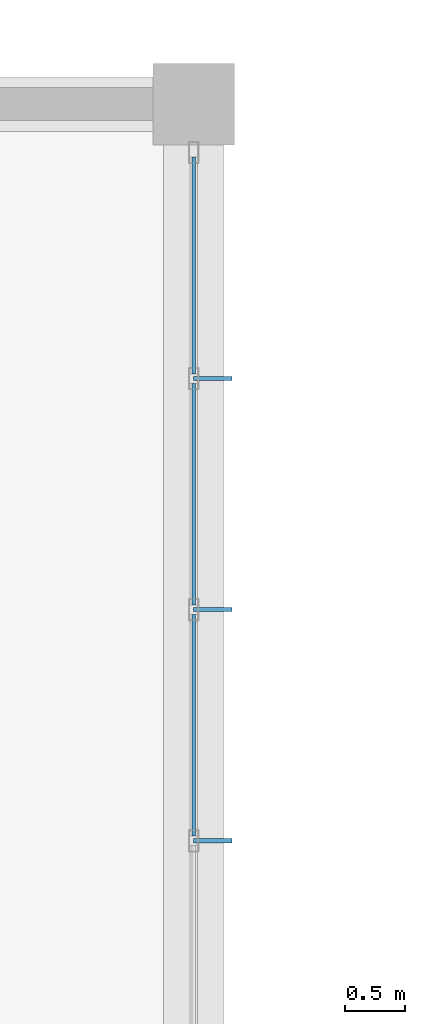
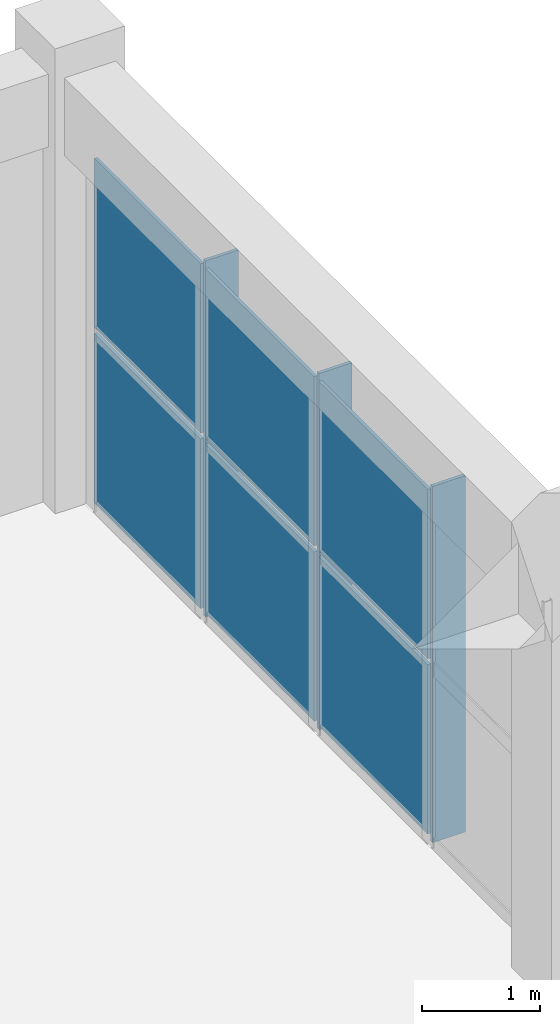
# One storey, part 157 of 175: 9 plates, 1 element without a shape of its own.
"""IFC4 building model written with IfcOpenShell, lengths in metres."""

from ifc_helpers import new_model, si_unit, direction, frame, origin, origin_2d, place, context, subcontext, project, spatial, polyline, rectangle, outline, extrude, material, layer, layer_set, type_object, element, aggregate, save


model = new_model("IFC4")

# Units and contexts
model_context = context("Model", 3, precision=1e-05, world=origin(), true_north=direction((0.0, 1.0)))
body_context = subcontext(model_context, "Body", "Model", "MODEL_VIEW")
ifc_project = project(units=[si_unit("LENGTHUNIT", "METRE"), si_unit("AREAUNIT", "SQUARE_METRE"), si_unit("VOLUMEUNIT", "CUBIC_METRE"), si_unit("PLANEANGLEUNIT", "RADIAN"), si_unit("MASSUNIT", "GRAM", prefix="KILO")], contexts=[model_context])

# Site, building, storey
site_placement = place(None, origin())
site = spatial("IfcSite", under=ifc_project, at=site_placement, CompositionType="ELEMENT")
building_placement = place(site_placement, origin())
building = spatial("IfcBuilding", under=site, at=building_placement, Name="Zizhar Promenade General Hospital", CompositionType="ELEMENT")
storey_placement = place(building_placement, frame((0.0, 0.0, 4.800048828125)))
storey = spatial("IfcBuildingStorey", under=building, at=storey_placement, Name="L01", CompositionType="ELEMENT", Elevation=4.800048828125)

# Curtain wall, plates
ifc_material_1 = material(Name="Anodised aluminium 6063-T6 and low-E glass", Category="aluminium")
ifc_layer_1 = layer(ifc_material_1, 0.159912109375)
ifc_layer_set_1 = layer_set([ifc_layer_1], Name="Anodised aluminium 6063-T6 and low-E glass")
curtain_wall_type = type_object("IfcCurtainWallType", Name="CW-DT-MOD1", PredefinedType="NOTDEFINED", material=ifc_layer_set_1)
curtain_wall_placement = place(storey_placement, origin())
curtain_wall = element("IfcCurtainWall", 1, at=curtain_wall_placement, inside=storey, type_object=curtain_wall_type, Name="Surgical East Glazed Curtain Wall L01-15", PredefinedType="NOTDEFINED")
ifc_material_2 = material(Name="Low-E solar-control glass", Category="glass")
ifc_layer_2 = layer(ifc_material_2, 0.031982421875)
ifc_layer_set_2 = layer_set([ifc_layer_2], Name="Low-E solar-control glass")
plate_type_1 = type_object("IfcPlateType", Name="CWP-GLZ-32", PredefinedType="CURTAIN_PANEL", material=ifc_layer_set_2)
plate_1_placement = place(storey_placement, frame((132.60009765625, 133.06005859375, 0.06005859375), z_axis=(0.0, 0.0, 1.0), x_axis=(0.0, -1.0, 0.0)))
plate_1 = element("IfcPlate", 2, at=plate_1_placement, type_object=plate_type_1, Name="CW-07 panel 1.1", PredefinedType="CURTAIN_PANEL", context=body_context, shape_type="SweptSolid", body=[
    extrude(rectangle(XDim=1.800048828125, YDim=0.031982421875, at=origin_2d()), origin(), (0.0, 0.0, 1.0), 1.75),
])
plate_2_placement = place(storey_placement, frame((132.60009765625, 133.06005859375, 1.869873046875), z_axis=(0.0, 0.0, 1.0), x_axis=(0.0, -1.0, 0.0)))
plate_2 = element("IfcPlate", 3, at=plate_2_placement, type_object=plate_type_1, Name="CW-07 panel 1.2", PredefinedType="CURTAIN_PANEL", context=body_context, shape_type="SweptSolid", body=[
    extrude(rectangle(XDim=1.800048828125, YDim=0.031982421875, at=origin_2d()), origin(), (0.0, 0.0, 1.0), 1.75),
])
plate_3_placement = place(storey_placement, frame((132.60009765625, 131.159912109375, 0.06005859375), z_axis=(0.0, 0.0, 1.0), x_axis=(0.0, -1.0, 0.0)))
plate_3 = element("IfcPlate", 4, at=plate_3_placement, type_object=plate_type_1, Name="CW-07 panel 2.1", PredefinedType="CURTAIN_PANEL", context=body_context, shape_type="SweptSolid", body=[
    extrude(rectangle(XDim=1.840087890625, YDim=0.031982421875, at=origin_2d()), origin(), (0.0, 0.0, 1.0), 1.75),
])
plate_4_placement = place(storey_placement, frame((132.60009765625, 131.159912109375, 1.869873046875), z_axis=(0.0, 0.0, 1.0), x_axis=(0.0, -1.0, 0.0)))
plate_4 = element("IfcPlate", 5, at=plate_4_placement, type_object=plate_type_1, Name="CW-07 panel 2.2", PredefinedType="CURTAIN_PANEL", context=body_context, shape_type="SweptSolid", body=[
    extrude(rectangle(XDim=1.840087890625, YDim=0.031982421875, at=origin_2d()), origin(), (0.0, 0.0, 1.0), 1.75),
])
plate_5_placement = place(storey_placement, frame((132.60009765625, 129.239990234375, 0.06005859375), z_axis=(0.0, 0.0, 1.0), x_axis=(0.0, -1.0, 0.0)))
plate_5 = element("IfcPlate", 6, at=plate_5_placement, type_object=plate_type_1, Name="CW-07 panel 3.1", PredefinedType="CURTAIN_PANEL", context=body_context, shape_type="SweptSolid", body=[
    extrude(rectangle(XDim=1.840087890625, YDim=0.031982421875, at=origin_2d()), origin(), (0.0, 0.0, 1.0), 1.75),
])
plate_6_placement = place(storey_placement, frame((132.60009765625, 129.239990234375, 1.869873046875), z_axis=(0.0, 0.0, 1.0), x_axis=(0.0, -1.0, 0.0)))
plate_6 = element("IfcPlate", 7, at=plate_6_placement, type_object=plate_type_1, Name="CW-07 panel 3.2", PredefinedType="CURTAIN_PANEL", context=body_context, shape_type="SweptSolid", body=[
    extrude(rectangle(XDim=1.840087890625, YDim=0.031982421875, at=origin_2d()), origin(), (0.0, 0.0, 1.0), 1.75),
])
aggregate(curtain_wall, [plate_1, plate_2, plate_3, plate_4, plate_5, plate_6])

# Plates
ifc_material_3 = material(Name="Anodised aluminium 6063-T6", Category="aluminium")
ifc_layer_3 = layer(ifc_material_3, 0.033935546875)
ifc_layer_set_3 = layer_set([ifc_layer_3], Name="Anodised aluminium 6063-T6")
plate_type_2 = type_object("IfcPlateType", Name="FIN-ALU-320", PredefinedType="USERDEFINED", material=ifc_layer_set_3)
plate_7_placement = place(storey_placement, origin())
element("IfcPlate", 8, at=plate_7_placement, inside=storey, type_object=plate_type_2, Name="Surgical East Glazed Curtain Wall L01-15 Solar Fin 1", ObjectType="SOLAR_SHADE", PredefinedType="USERDEFINED", context=body_context, shape_type="SweptSolid", body=[
    extrude(outline(polyline([(132.60009765625, 132.136962890625), (132.60009765625, 132.10302734375), (132.919921875, 132.10302734375), (132.919921875, 132.136962890625), (132.60009765625, 132.136962890625)])), origin(), (0.0, 0.0, 1.0), 3.679931640625),
])
plate_8_placement = place(storey_placement, origin())
element("IfcPlate", 9, at=plate_8_placement, inside=storey, type_object=plate_type_2, Name="Surgical East Glazed Curtain Wall L01-15 Solar Fin 2", ObjectType="SOLAR_SHADE", PredefinedType="USERDEFINED", context=body_context, shape_type="SweptSolid", body=[
    extrude(outline(polyline([(132.60009765625, 130.217041015625), (132.60009765625, 130.18310546875), (132.919921875, 130.18310546875), (132.919921875, 130.217041015625), (132.60009765625, 130.217041015625)])), origin(), (0.0, 0.0, 1.0), 3.679931640625),
])
plate_9_placement = place(storey_placement, origin())
element("IfcPlate", 10, at=plate_9_placement, inside=storey, type_object=plate_type_2, Name="Surgical East Glazed Curtain Wall L01-15 Solar Fin 3", ObjectType="SOLAR_SHADE", PredefinedType="USERDEFINED", context=body_context, shape_type="SweptSolid", body=[
    extrude(outline(polyline([(132.60009765625, 128.297119140625), (132.60009765625, 128.262939453125), (132.919921875, 128.262939453125), (132.919921875, 128.297119140625), (132.60009765625, 128.297119140625)])), origin(), (0.0, 0.0, 1.0), 3.679931640625),
])

save(model, "model.ifc")
